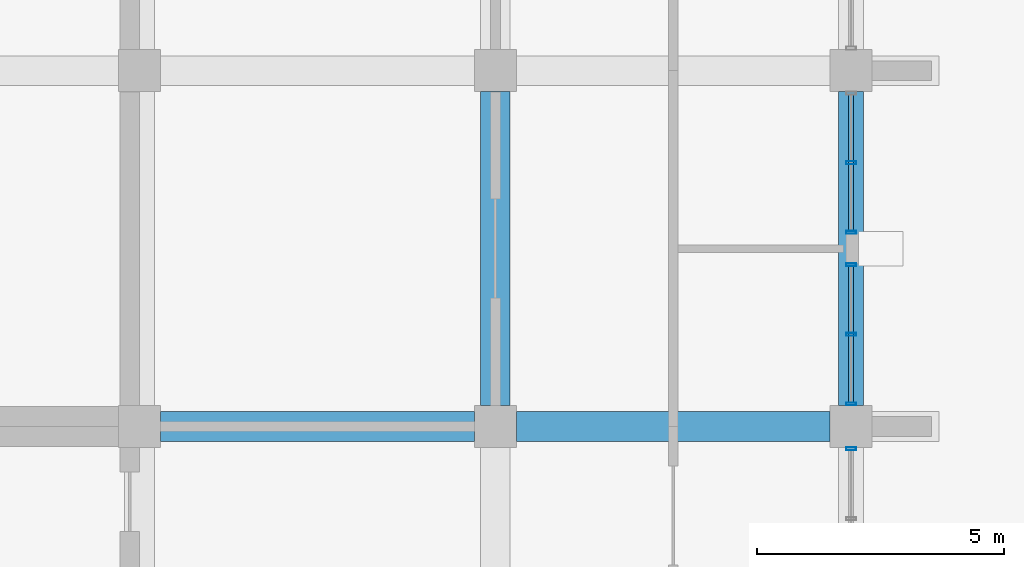
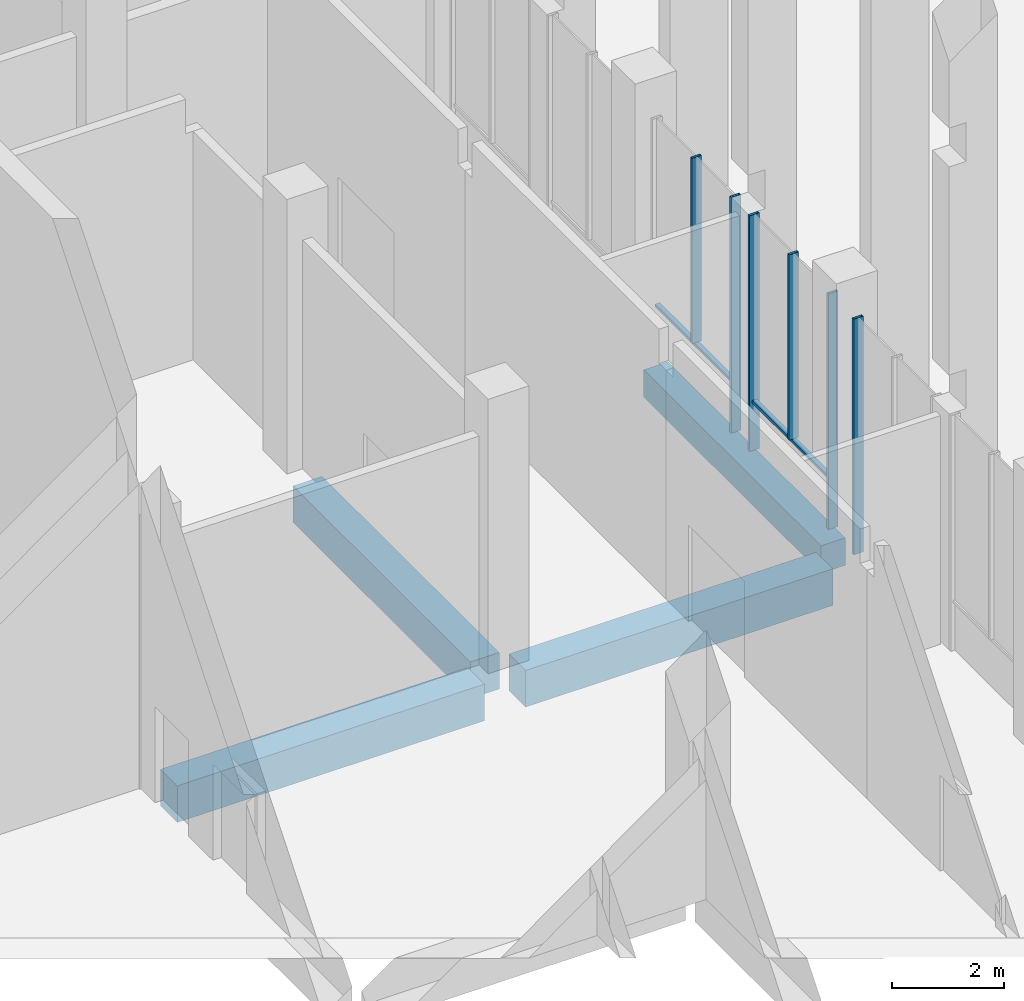
# One storey, part 21 of 50: 8 members, 4 beams, 3 elements without a shape of their own.
"""IFC4 building model written with IfcOpenShell, lengths in metres."""

from ifc_helpers import new_model, si_unit, direction, frame, origin, origin_2d, place, context, subcontext, project, spatial, rectangle, hollow_rectangle, extrude, material, material_profile, profile_set, type_object, element, aggregate, save


model = new_model("IFC4")

# Units and contexts
model_context = context("Model", 3, precision=1e-05, world=origin(), true_north=direction((0.0, 1.0)))
body_context = subcontext(model_context, "Body", "Model", "MODEL_VIEW")
ifc_project = project(units=[si_unit("LENGTHUNIT", "METRE"), si_unit("AREAUNIT", "SQUARE_METRE"), si_unit("VOLUMEUNIT", "CUBIC_METRE"), si_unit("PLANEANGLEUNIT", "RADIAN"), si_unit("MASSUNIT", "GRAM", prefix="KILO")], contexts=[model_context])

# Site, building, storey
site_placement = place(None, origin())
site = spatial("IfcSite", under=ifc_project, at=site_placement, CompositionType="ELEMENT")
building_placement = place(site_placement, origin())
building = spatial("IfcBuilding", under=site, at=building_placement, Name="Silangan Lancet Faculty of Sciences", CompositionType="ELEMENT")
storey_placement = place(building_placement, origin())
storey = spatial("IfcBuildingStorey", under=building, at=storey_placement, Name="L00", CompositionType="ELEMENT", Elevation=0.0)

# Beams
ifc_material_1 = material(Name="Concrete C40/50", Category="concrete")
ifc_material_profile_1 = material_profile(ifc_material_1, rectangle(XDim=0.5, YDim=0.60009765625, at=origin_2d()), Name="RC 500x600")
ifc_profile_set_1 = profile_set([ifc_material_profile_1], Name="Concrete C40/50")
beam_type_1 = type_object("IfcBeamType", Name="BEAM RC 500x600", PredefinedType="BEAM", material=ifc_profile_set_1)
beam_1_placement = place(storey_placement, frame((86.39990234375, 36.425048828125, -0.60009765625), z_axis=(0.0, 1.0, 0.0), x_axis=(-1.0, 0.0, 0.0)))
element("IfcBeam", 1, at=beam_1_placement, inside=storey, type_object=beam_type_1, Name="BM-L00-13F-13G", PredefinedType="BEAM", context=body_context, shape_type="SweptSolid", body=[
    extrude(rectangle(XDim=0.5, YDim=0.60009765625, at=origin_2d()), origin(), (0.0, 0.0, 1.0), 6.349853515625),
])
ifc_material_2 = material(Name="Concrete C40/50", Category="concrete")
ifc_material_profile_2 = material_profile(ifc_material_2, rectangle(XDim=0.60009765625, YDim=0.800048828125, at=origin_2d()), Name="RC 600x800")
ifc_profile_set_2 = profile_set([ifc_material_profile_2], Name="Concrete C40/50")
beam_type_2 = type_object("IfcBeamType", Name="BEAM RC 600x800", PredefinedType="BEAM", material=ifc_profile_set_2)
beam_2_placement = place(storey_placement, frame((72.425048828125, 36.0, -0.699951171875), z_axis=(1.0, 0.0, 0.0), x_axis=(0.0, 1.0, 0.0)))
element("IfcBeam", 2, at=beam_2_placement, inside=storey, type_object=beam_type_2, Name="BM-L00-11F-12F", PredefinedType="BEAM", context=body_context, shape_type="SweptSolid", body=[
    extrude(rectangle(XDim=0.60009765625, YDim=0.800048828125, at=origin_2d()), origin(), (0.0, 0.0, 1.0), 6.349853515625),
])
beam_3_placement = place(storey_placement, frame((79.625, 36.0, -0.699951171875), z_axis=(1.0, 0.0, 0.0), x_axis=(0.0, 1.0, 0.0)))
element("IfcBeam", 3, at=beam_3_placement, inside=storey, type_object=beam_type_2, Name="BM-L00-12F-13F", PredefinedType="BEAM", context=body_context, shape_type="SweptSolid", body=[
    extrude(rectangle(XDim=0.60009765625, YDim=0.800048828125, at=origin_2d()), origin(), (0.0, 0.0, 1.0), 6.35009765625),
])
beam_4_placement = place(storey_placement, frame((79.199951171875, 36.425048828125, -0.699951171875), z_axis=(0.0, 1.0, 0.0), x_axis=(-1.0, 0.0, 0.0)))
element("IfcBeam", 4, at=beam_4_placement, inside=storey, type_object=beam_type_2, Name="BM-L00-12F-12G", PredefinedType="BEAM", context=body_context, shape_type="SweptSolid", body=[
    extrude(rectangle(XDim=0.60009765625, YDim=0.800048828125, at=origin_2d()), origin(), (0.0, 0.0, 1.0), 6.349853515625),
])

# Curtain wall, member
ifc_material_3 = material(Name="Aluminium framed curtain wall with insulated glass", Category="aluminium")
curtain_wall_type = type_object("IfcCurtainWallType", Name="CW1 Commons and east block glazing", PredefinedType="NOTDEFINED", material=ifc_material_3)
curtain_wall_1_placement = place(storey_placement, origin())
curtain_wall_1 = element("IfcCurtainWall", 5, at=curtain_wall_1_placement, inside=storey, type_object=curtain_wall_type, Name="CW1 East commons L00 bay 8", PredefinedType="NOTDEFINED")
ifc_material_4 = material(Name="Aluminium 6063-T6 extrusion", Category="aluminium")
ifc_material_profile_3 = material_profile(ifc_material_4, hollow_rectangle(XDim=0.06005859375, YDim=0.199951171875, WallThickness=0.00390625, at=origin_2d()), Name="AL BOX 60x200x4")
ifc_profile_set_3 = profile_set([ifc_material_profile_3], Name="Aluminium 6063-T6 extrusion")
member_type_1 = type_object("IfcMemberType", Name="CM1 Mullion 60x200", PredefinedType="MULLION", material=ifc_profile_set_3)
member_1_placement = place(storey_placement, frame((86.39990234375, 35.544921875, 0.0), z_axis=(0.0, 0.0, 1.0), x_axis=(0.0, 1.0, 0.0)))
member_1 = element("IfcMember", 6, at=member_1_placement, type_object=member_type_1, Name="CW1 East commons L00 bay 8 mullion 2", PredefinedType="MULLION", context=body_context, shape_type="SweptSolid", body=[
    extrude(hollow_rectangle(XDim=0.06005859375, YDim=0.199951171875, WallThickness=0.00390625, at=origin_2d()), origin(), (0.0, 0.0, 1.0), 5.14990234375),
])
aggregate(curtain_wall_1, [member_1])

# Curtain wall, members
curtain_wall_2_placement = place(storey_placement, origin())
curtain_wall_2 = element("IfcCurtainWall", 7, at=curtain_wall_2_placement, inside=storey, type_object=curtain_wall_type, Name="CW1 East commons L00 bay 9", PredefinedType="NOTDEFINED")
member_2_placement = place(storey_placement, frame((86.39990234375, 36.455078125, 0.0), z_axis=(0.0, 0.0, 1.0), x_axis=(0.0, 1.0, 0.0)))
member_2 = element("IfcMember", 8, at=member_2_placement, type_object=member_type_1, Name="CW1 East commons L00 bay 9 mullion 1", PredefinedType="MULLION", context=body_context, shape_type="SweptSolid", body=[
    extrude(hollow_rectangle(XDim=0.06005859375, YDim=0.199951171875, WallThickness=0.00390625, at=origin_2d()), origin(), (0.0, 0.0, 1.0), 5.14990234375),
])
member_3_placement = place(storey_placement, frame((86.39990234375, 39.27001953125, 0.0), z_axis=(0.0, 0.0, 1.0), x_axis=(0.0, 1.0, 0.0)))
member_3 = element("IfcMember", 9, at=member_3_placement, type_object=member_type_1, Name="CW1 East commons L00 bay 9 mullion 2", PredefinedType="MULLION", context=body_context, shape_type="SweptSolid", body=[
    extrude(hollow_rectangle(XDim=0.06005859375, YDim=0.199951171875, WallThickness=0.00390625, at=origin_2d()), origin(), (0.0, 0.0, 1.0), 5.14990234375),
])
member_4_placement = place(storey_placement, frame((86.39990234375, 37.862548828125, 1.10009765625), z_axis=(0.0, 0.0, 1.0), x_axis=(0.0, 1.0, 0.0)))
member_4 = element("IfcMember", 10, at=member_4_placement, type_object=member_type_1, Name="CW1 East commons L00 bay 9 mullion 3", PredefinedType="MULLION", context=body_context, shape_type="SweptSolid", body=[
    extrude(hollow_rectangle(XDim=0.06005859375, YDim=0.199951171875, WallThickness=0.00390625, at=origin_2d()), origin(), (0.0, 0.0, 1.0), 4.0498046875),
])

curtain_wall_3_placement = place(storey_placement, origin())
curtain_wall_3 = element("IfcCurtainWall", 11, at=curtain_wall_3_placement, inside=storey, type_object=curtain_wall_type, Name="CW1 East commons L00 bay 10", PredefinedType="NOTDEFINED")
member_5_placement = place(storey_placement, frame((86.39990234375, 39.93017578125, 0.0), z_axis=(0.0, 0.0, 1.0), x_axis=(0.0, 1.0, 0.0)))
member_5 = element("IfcMember", 12, at=member_5_placement, type_object=member_type_1, Name="CW1 East commons L00 bay 10 mullion 1", PredefinedType="MULLION", context=body_context, shape_type="SweptSolid", body=[
    extrude(hollow_rectangle(XDim=0.06005859375, YDim=0.199951171875, WallThickness=0.00390625, at=origin_2d()), origin(), (0.0, 0.0, 1.0), 5.14990234375),
])
member_6_placement = place(storey_placement, frame((86.39990234375, 41.337646484375, 1.10009765625), z_axis=(0.0, 0.0, 1.0), x_axis=(0.0, 1.0, 0.0)))
member_6 = element("IfcMember", 13, at=member_6_placement, type_object=member_type_1, Name="CW1 East commons L00 bay 10 mullion 3", PredefinedType="MULLION", context=body_context, shape_type="SweptSolid", body=[
    extrude(hollow_rectangle(XDim=0.06005859375, YDim=0.199951171875, WallThickness=0.00390625, at=origin_2d()), origin(), (0.0, 0.0, 1.0), 4.0498046875),
])

# Member
ifc_material_5 = material(Name="Aluminium 6063-T6 extrusion", Category="aluminium")
ifc_material_profile_4 = material_profile(ifc_material_5, hollow_rectangle(XDim=0.10009765625, YDim=0.06005859375, WallThickness=0.0029296875, at=origin_2d()), Name="AL BOX 100x60x3")
ifc_profile_set_4 = profile_set([ifc_material_profile_4], Name="Aluminium 6063-T6 extrusion")
member_type_2 = type_object("IfcMemberType", Name="CT1 Transom 100x60", PredefinedType="USERDEFINED", material=ifc_profile_set_4)
member_7_placement = place(storey_placement, frame((86.39990234375, 36.485107421875, 1.070068359375), z_axis=(0.0, 1.0, 0.0), x_axis=(-1.0, 0.0, 0.0)))
member_7 = element("IfcMember", 14, at=member_7_placement, type_object=member_type_2, Name="CW1 East commons L00 bay 9 transom 1", ObjectType="TRANSOM", PredefinedType="USERDEFINED", context=body_context, shape_type="SweptSolid", body=[
    extrude(hollow_rectangle(XDim=0.10009765625, YDim=0.06005859375, WallThickness=0.0029296875, at=origin_2d()), origin(), (0.0, 0.0, 1.0), 2.7548828125),
])

aggregate(curtain_wall_2, [member_2, member_3, member_4, member_7])

member_8_placement = place(storey_placement, frame((86.39990234375, 39.960205078125, 1.070068359375), z_axis=(0.0, 1.0, 0.0), x_axis=(-1.0, 0.0, 0.0)))
member_8 = element("IfcMember", 15, at=member_8_placement, type_object=member_type_2, Name="CW1 East commons L00 bay 10 transom 1", ObjectType="TRANSOM", PredefinedType="USERDEFINED", context=body_context, shape_type="SweptSolid", body=[
    extrude(hollow_rectangle(XDim=0.10009765625, YDim=0.06005859375, WallThickness=0.0029296875, at=origin_2d()), origin(), (0.0, 0.0, 1.0), 2.7548828125),
])

aggregate(curtain_wall_3, [member_5, member_6, member_8])

save(model, "model.ifc")
